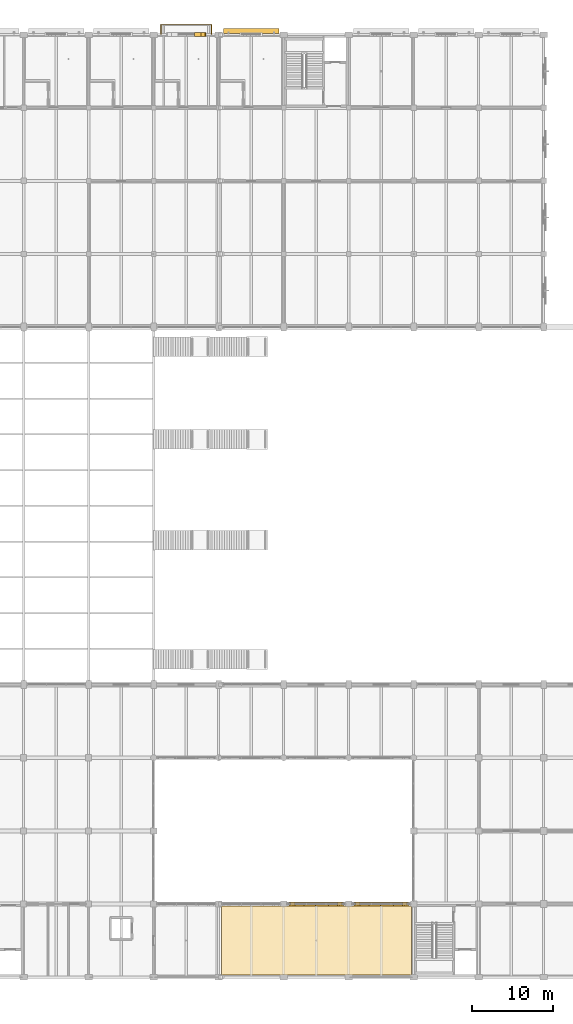
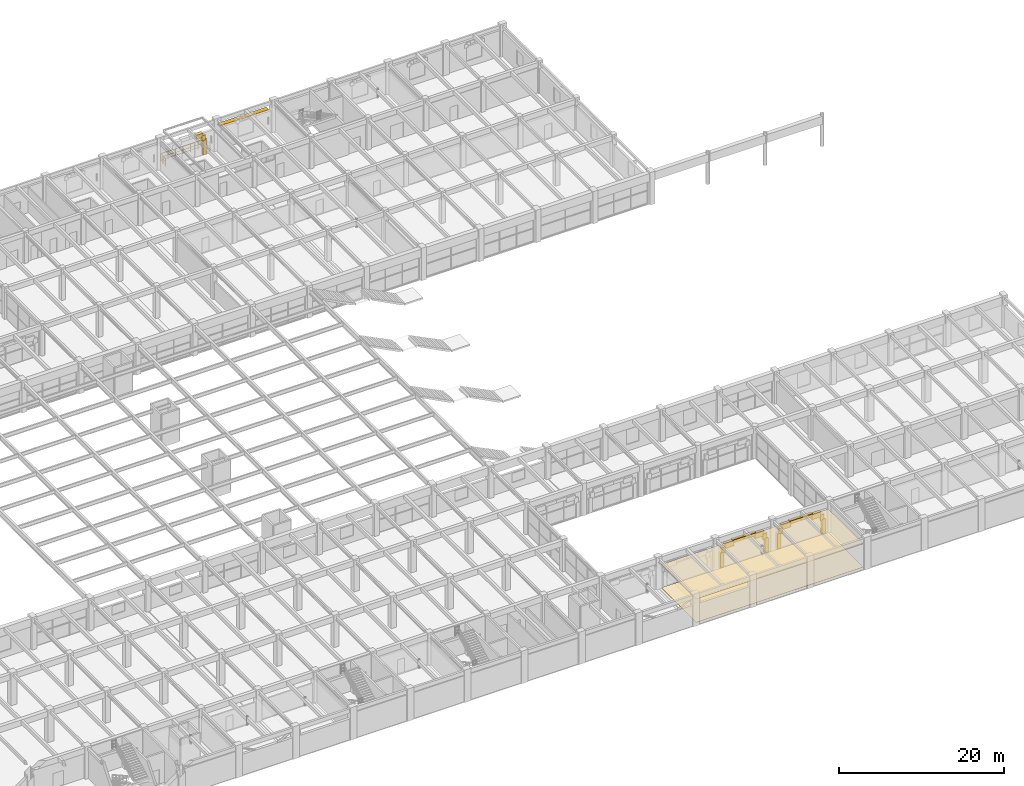
# One storey, part 141 of 144: 21 coverings, 1 railing, 1 shading device.
"""IFC4 building model written with IfcOpenShell, lengths in metres."""

from ifc_helpers import new_model, si_unit, direction, frame, origin, origin_2d, place, context, subcontext, project, spatial, polyline, rectangle, circle, outline, extrude, material, layer, layer_set, type_object, element, save


model = new_model("IFC4")

# Units and contexts
model_context = context("Model", 3, precision=1e-05, world=origin(), true_north=direction((0.0, 1.0)))
body_context = subcontext(model_context, "Body", "Model", "MODEL_VIEW")
ifc_project = project(units=[si_unit("LENGTHUNIT", "METRE"), si_unit("AREAUNIT", "SQUARE_METRE"), si_unit("VOLUMEUNIT", "CUBIC_METRE"), si_unit("PLANEANGLEUNIT", "RADIAN"), si_unit("MASSUNIT", "GRAM", prefix="KILO")], contexts=[model_context])

# Site, building, storey
site_placement = place(None, origin())
site = spatial("IfcSite", under=ifc_project, at=site_placement, CompositionType="ELEMENT")
building_placement = place(site_placement, origin())
building = spatial("IfcBuilding", under=site, at=building_placement, Name="Varnabhumi Central Station", CompositionType="ELEMENT")
storey_placement = place(building_placement, frame((0.0, 0.0, 4.800048828125)))
storey = spatial("IfcBuildingStorey", under=building, at=storey_placement, Name="L01", CompositionType="ELEMENT", Elevation=4.800048828125)

# Coverings
ifc_material_1 = material(Name="Mineral-fibre acoustic tile")
ifc_layer_1 = layer(ifc_material_1, 0.02490234375, Name="Mineral-fibre acoustic tile")
ifc_layer_set_1 = layer_set([ifc_layer_1], Name="Mineral-fibre acoustic tile")
covering_type_1 = type_object("IfcCoveringType", Name="COV-CEIL-ACOUSTIC", PredefinedType="CEILING", material=ifc_layer_set_1)
covering_1_placement = place(storey_placement, frame((0.0, 0.0, 3.469970703125)))
element("IfcCovering", 1, at=covering_1_placement, inside=storey, type_object=covering_type_1, Name="Lost Property and Station Archive Store Acoustic Ceiling", PredefinedType="CEILING", context=body_context, shape_type="SweptSolid", body=[
    extrude(outline(polyline([(120.35009765625, 0.25), (143.75, 0.25), (143.75, 8.75), (120.35009765625, 8.75), (120.35009765625, 0.25)])), origin(), (0.0, 0.0, 1.0), 0.02490234375),
])
ifc_material_2 = material(Name="Vitrified granite stone flooring", Category="masonry")
ifc_layer_2 = layer(ifc_material_2, 0.030029296875, Name="Vitrified granite stone flooring", Category="masonry")
ifc_layer_set_2 = layer_set([ifc_layer_2], Name="Vitrified granite stone flooring")
covering_type_2 = type_object("IfcCoveringType", Name="COV-FLOR-GRANITE", PredefinedType="FLOORING", material=ifc_layer_set_2)
covering_2_placement = place(storey_placement, origin())
element("IfcCovering", 2, at=covering_2_placement, inside=storey, type_object=covering_type_2, Name="Lost Property and Station Archive Store Granite Flooring", PredefinedType="FLOORING", context=body_context, shape_type="SweptSolid", body=[
    extrude(outline(polyline([(120.35009765625, 0.25), (143.75, 0.25), (143.75, 8.75), (120.35009765625, 8.75), (120.35009765625, 0.25)])), origin(), (0.0, 0.0, 1.0), 0.030029296875),
])
ifc_material_3 = material(Name="Terracotta clay Mission barrel tile", Category="masonry")
ifc_layer_3 = layer(ifc_material_3, 0.02001953125, Name="Terracotta clay Mission barrel tile", Category="masonry")
ifc_layer_set_3 = layer_set([ifc_layer_3], Name="Terracotta clay Mission barrel tile")
covering_type_3 = type_object("IfcCoveringType", Name="COV-WALL-FAIENCE", PredefinedType="CLADDING", material=ifc_layer_set_3)
covering_3_placement = place(storey_placement, frame((117.50244140625, 116.0, 2.635009765625), z_axis=(0.0, 0.0, 1.0), x_axis=(1.0, 0.0, 0.0)))
element("IfcCovering", 3, at=covering_3_placement, inside=storey, type_object=covering_type_3, Name="Balcony Arch Portal L01-15 Stone Voussoir 5", PredefinedType="CLADDING", context=body_context, shape_type="SweptSolid", body=[
    extrude(rectangle(XDim=0.925048828125, YDim=0.47998046875, at=origin_2d()), origin(), (0.0, 0.0, 1.0), 0.6279296875),
])
covering_4_placement = place(storey_placement, frame((118.052490234375, 116.0, 2.159912109375), z_axis=(0.0, 0.0, 1.0), x_axis=(1.0, 0.0, 0.0)))
element("IfcCovering", 4, at=covering_4_placement, inside=storey, type_object=covering_type_3, Name="Balcony Arch Portal L01-15 Stone Voussoir 6", PredefinedType="CLADDING", context=body_context, shape_type="SweptSolid", body=[
    extrude(rectangle(XDim=0.469970703125, YDim=0.47998046875, at=origin_2d()), origin(), (0.0, 0.0, 1.0), 0.7548828125),
])
covering_5_placement = place(storey_placement, frame((118.199951171875, 116.0, -0.02001953125), z_axis=(0.0, 0.0, 1.0), x_axis=(1.0, 0.0, 0.0)))
element("IfcCovering", 5, at=covering_5_placement, inside=storey, type_object=covering_type_3, Name="Balcony Arch Portal L01-15 Classical Pilaster 2", PredefinedType="CLADDING", context=body_context, shape_type="SweptSolid", body=[
    extrude(rectangle(XDim=0.47998046875, YDim=0.47998046875, at=origin_2d()), origin(), (0.0, 0.0, 1.0), 2.340087890625),
])
covering_6_placement = place(storey_placement, frame((129.107421875, 9.0, 2.06005859375), z_axis=(0.0, 0.0, 1.0), x_axis=(1.0, 0.0, 0.0)))
element("IfcCovering", 6, at=covering_6_placement, inside=storey, type_object=covering_type_3, Name="South Patio Cloister Arch L01-S3 Stone Voussoir 1", PredefinedType="CLADDING", context=body_context, shape_type="SweptSolid", body=[
    extrude(rectangle(XDim=0.534912109375, YDim=0.47998046875, at=origin_2d()), origin(), (0.0, 0.0, 1.0), 0.8798828125),
])
covering_7_placement = place(storey_placement, frame((129.882568359375, 9.0, 2.66015625), z_axis=(0.0, 0.0, 1.0), x_axis=(1.0, 0.0, 0.0)))
element("IfcCovering", 7, at=covering_7_placement, inside=storey, type_object=covering_type_3, Name="South Patio Cloister Arch L01-S3 Stone Voussoir 2", PredefinedType="CLADDING", context=body_context, shape_type="SweptSolid", body=[
    extrude(rectangle(XDim=1.2548828125, YDim=0.47998046875, at=origin_2d()), origin(), (0.0, 0.0, 1.0), 0.718994140625),
])
for number, where, z_axis, x_axis, name in (
    (8, (131.22509765625, 9.0, 3.098876953125), (0.0, 0.0, 1.0), (1.0, 0.0, 0.0), "South Patio Cloister Arch L01-S3 Stone Voussoir 3"),
    (9, (132.77490234375, 9.0, 3.098876953125), (0.0, 0.0, 1.0), (1.0, 0.0, 0.0), "South Patio Cloister Arch L01-S3 Stone Voussoir 4"),
):
    element("IfcCovering", number, at=place(storey_placement, frame(where, z_axis=z_axis, x_axis=x_axis)), inside=storey, type_object=covering_type_3, Name=name, PredefinedType="CLADDING", context=body_context, shape_type="SweptSolid", body=[
        extrude(rectangle(XDim=1.669921875, YDim=0.47998046875, at=origin_2d()), origin(), (0.0, 0.0, 1.0), 0.44091796875),
    ])
covering_8_placement = place(storey_placement, frame((134.117431640625, 9.0, 2.66015625), z_axis=(0.0, 0.0, 1.0), x_axis=(1.0, 0.0, 0.0)))
element("IfcCovering", 10, at=covering_8_placement, inside=storey, type_object=covering_type_3, Name="South Patio Cloister Arch L01-S3 Stone Voussoir 5", PredefinedType="CLADDING", context=body_context, shape_type="SweptSolid", body=[
    extrude(rectangle(XDim=1.2548828125, YDim=0.47998046875, at=origin_2d()), origin(), (0.0, 0.0, 1.0), 0.718994140625),
])
covering_9_placement = place(storey_placement, frame((134.892578125, 9.0, 2.06005859375), z_axis=(0.0, 0.0, 1.0), x_axis=(1.0, 0.0, 0.0)))
element("IfcCovering", 11, at=covering_9_placement, inside=storey, type_object=covering_type_3, Name="South Patio Cloister Arch L01-S3 Stone Voussoir 6", PredefinedType="CLADDING", context=body_context, shape_type="SweptSolid", body=[
    extrude(rectangle(XDim=0.534912109375, YDim=0.47998046875, at=origin_2d()), origin(), (0.0, 0.0, 1.0), 0.8798828125),
])
for number, where, z_axis, x_axis, name in (
    (12, (128.89990234375, 9.0, -0.02001953125), (0.0, 0.0, 1.0), (1.0, 0.0, 0.0), "South Patio Cloister Arch L01-S3 Classical Pilaster 1"),
    (13, (135.10009765625, 9.0, -0.02001953125), (0.0, 0.0, 1.0), (1.0, 0.0, 0.0), "South Patio Cloister Arch L01-S3 Classical Pilaster 2"),
):
    element("IfcCovering", number, at=place(storey_placement, frame(where, z_axis=z_axis, x_axis=x_axis)), inside=storey, type_object=covering_type_3, Name=name, PredefinedType="CLADDING", context=body_context, shape_type="SweptSolid", body=[
        extrude(rectangle(XDim=0.47998046875, YDim=0.47998046875, at=origin_2d()), origin(), (0.0, 0.0, 1.0), 2.239990234375),
    ])
covering_10_placement = place(storey_placement, frame((137.107421875, 9.0, 2.06005859375), z_axis=(0.0, 0.0, 1.0), x_axis=(1.0, 0.0, 0.0)))
element("IfcCovering", 14, at=covering_10_placement, inside=storey, type_object=covering_type_3, Name="South Patio Cloister Arch L01-S4 Stone Voussoir 1", PredefinedType="CLADDING", context=body_context, shape_type="SweptSolid", body=[
    extrude(rectangle(XDim=0.534912109375, YDim=0.47998046875, at=origin_2d()), origin(), (0.0, 0.0, 1.0), 0.8798828125),
])
covering_11_placement = place(storey_placement, frame((137.882568359375, 9.0, 2.66015625), z_axis=(0.0, 0.0, 1.0), x_axis=(1.0, 0.0, 0.0)))
element("IfcCovering", 15, at=covering_11_placement, inside=storey, type_object=covering_type_3, Name="South Patio Cloister Arch L01-S4 Stone Voussoir 2", PredefinedType="CLADDING", context=body_context, shape_type="SweptSolid", body=[
    extrude(rectangle(XDim=1.2548828125, YDim=0.47998046875, at=origin_2d()), origin(), (0.0, 0.0, 1.0), 0.718994140625),
])
for number, where, z_axis, x_axis, name in (
    (16, (139.22509765625, 9.0, 3.098876953125), (0.0, 0.0, 1.0), (1.0, 0.0, 0.0), "South Patio Cloister Arch L01-S4 Stone Voussoir 3"),
    (17, (140.77490234375, 9.0, 3.098876953125), (0.0, 0.0, 1.0), (1.0, 0.0, 0.0), "South Patio Cloister Arch L01-S4 Stone Voussoir 4"),
):
    element("IfcCovering", number, at=place(storey_placement, frame(where, z_axis=z_axis, x_axis=x_axis)), inside=storey, type_object=covering_type_3, Name=name, PredefinedType="CLADDING", context=body_context, shape_type="SweptSolid", body=[
        extrude(rectangle(XDim=1.669921875, YDim=0.47998046875, at=origin_2d()), origin(), (0.0, 0.0, 1.0), 0.44091796875),
    ])
covering_12_placement = place(storey_placement, frame((142.117431640625, 9.0, 2.66015625), z_axis=(0.0, 0.0, 1.0), x_axis=(1.0, 0.0, 0.0)))
element("IfcCovering", 18, at=covering_12_placement, inside=storey, type_object=covering_type_3, Name="South Patio Cloister Arch L01-S4 Stone Voussoir 5", PredefinedType="CLADDING", context=body_context, shape_type="SweptSolid", body=[
    extrude(rectangle(XDim=1.2548828125, YDim=0.47998046875, at=origin_2d()), origin(), (0.0, 0.0, 1.0), 0.718994140625),
])
covering_13_placement = place(storey_placement, frame((142.892578125, 9.0, 2.06005859375), z_axis=(0.0, 0.0, 1.0), x_axis=(1.0, 0.0, 0.0)))
element("IfcCovering", 19, at=covering_13_placement, inside=storey, type_object=covering_type_3, Name="South Patio Cloister Arch L01-S4 Stone Voussoir 6", PredefinedType="CLADDING", context=body_context, shape_type="SweptSolid", body=[
    extrude(rectangle(XDim=0.534912109375, YDim=0.47998046875, at=origin_2d()), origin(), (0.0, 0.0, 1.0), 0.8798828125),
])
for number, where, z_axis, x_axis, name in (
    (20, (136.89990234375, 9.0, -0.02001953125), (0.0, 0.0, 1.0), (1.0, 0.0, 0.0), "South Patio Cloister Arch L01-S4 Classical Pilaster 1"),
    (21, (143.10009765625, 9.0, -0.02001953125), (0.0, 0.0, 1.0), (1.0, 0.0, 0.0), "South Patio Cloister Arch L01-S4 Classical Pilaster 2"),
):
    element("IfcCovering", number, at=place(storey_placement, frame(where, z_axis=z_axis, x_axis=x_axis)), inside=storey, type_object=covering_type_3, Name=name, PredefinedType="CLADDING", context=body_context, shape_type="SweptSolid", body=[
        extrude(rectangle(XDim=0.47998046875, YDim=0.47998046875, at=origin_2d()), origin(), (0.0, 0.0, 1.0), 2.239990234375),
    ])

# Railing
ifc_material_4 = material(Name="Stainless steel Grade 316", Category="steel")
railing_type = type_object("IfcRailingType", Name="RAIL-BALUST-1150", PredefinedType="BALUSTRADE", material=ifc_material_4)
railing_placement = place(storey_placement, frame((112.8798828125, 116.050048828125, 0.0)))
element("IfcRailing", 22, at=railing_placement, inside=storey, type_object=railing_type, Name="Azotea Perimeter Balustrade L01-8", PredefinedType="BALUSTRADE", context=body_context, shape_type="SweptSolid", body=[
    extrude(circle(Radius=0.02392578125, at=origin_2d()), frame((0.0, 0.0, 1.1259765625), z_axis=(0.0, 1.0, 0.0), x_axis=(-1.0, 0.0, 0.0)), (0.0, 0.0, 1.0), 1.169921875),
    extrude(circle(Radius=0.01416015625, at=origin_2d()), frame((0.0, 0.0, 0.597900390625), z_axis=(0.0, 1.0, 0.0), x_axis=(-1.0, 0.0, 0.0)), (0.0, 0.0, 1.0), 1.169921875),
    extrude(circle(Radius=0.01416015625, at=origin_2d()), frame((0.0, 0.0, 0.18408203125), z_axis=(0.0, 1.0, 0.0), x_axis=(-1.0, 0.0, 0.0)), (0.0, 0.0, 1.0), 1.169921875),
    extrude(circle(Radius=0.02392578125, at=origin_2d()), frame((0.0, 1.169921875, 1.1259765625), z_axis=(1.0, 0.0, 0.0), x_axis=(0.0, 1.0, 0.0)), (0.0, 0.0, 1.0), 6.240234375),
    extrude(circle(Radius=0.01416015625, at=origin_2d()), frame((0.0, 1.169921875, 0.597900390625), z_axis=(1.0, 0.0, 0.0), x_axis=(0.0, 1.0, 0.0)), (0.0, 0.0, 1.0), 6.240234375),
    extrude(circle(Radius=0.01416015625, at=origin_2d()), frame((0.0, 1.169921875, 0.18408203125), z_axis=(1.0, 0.0, 0.0), x_axis=(0.0, 1.0, 0.0)), (0.0, 0.0, 1.0), 6.240234375),
    extrude(circle(Radius=0.02392578125, at=origin_2d()), frame((6.240234375, 1.169921875, 1.1259765625), z_axis=(0.0, -1.0, 0.0), x_axis=(1.0, 0.0, 0.0)), (0.0, 0.0, 1.0), 1.169921875),
    extrude(circle(Radius=0.01416015625, at=origin_2d()), frame((6.240234375, 1.169921875, 0.597900390625), z_axis=(0.0, -1.0, 0.0), x_axis=(1.0, 0.0, 0.0)), (0.0, 0.0, 1.0), 1.169921875),
    extrude(circle(Radius=0.01416015625, at=origin_2d()), frame((6.240234375, 1.169921875, 0.18408203125), z_axis=(0.0, -1.0, 0.0), x_axis=(1.0, 0.0, 0.0)), (0.0, 0.0, 1.0), 1.169921875),
    extrude(circle(Radius=0.02099609375, at=origin_2d()), origin(), (0.0, 0.0, 1.0), 1.101806640625),
    extrude(circle(Radius=0.02099609375, at=origin_2d()), frame((0.0, 0.5849609375, 0.0)), (0.0, 0.0, 1.0), 1.101806640625),
    extrude(circle(Radius=0.02099609375, at=origin_2d()), frame((0.0, 1.169921875, 0.0)), (0.0, 0.0, 1.0), 1.101806640625),
    extrude(circle(Radius=0.02099609375, at=origin_2d()), frame((1.0400390625, 1.169921875, 0.0)), (0.0, 0.0, 1.0), 1.101806640625),
    extrude(circle(Radius=0.02099609375, at=origin_2d()), frame((2.080078125, 1.169921875, 0.0)), (0.0, 0.0, 1.0), 1.101806640625),
    extrude(circle(Radius=0.02099609375, at=origin_2d()), frame((3.1201171875, 1.169921875, 0.0)), (0.0, 0.0, 1.0), 1.101806640625),
    extrude(circle(Radius=0.02099609375, at=origin_2d()), frame((4.16015625, 1.169921875, 0.0)), (0.0, 0.0, 1.0), 1.101806640625),
    extrude(circle(Radius=0.02099609375, at=origin_2d()), frame((5.2001953125, 1.169921875, 0.0)), (0.0, 0.0, 1.0), 1.101806640625),
    extrude(circle(Radius=0.02099609375, at=origin_2d()), frame((6.240234375, 1.169921875, 0.0)), (0.0, 0.0, 1.0), 1.101806640625),
    extrude(circle(Radius=0.02099609375, at=origin_2d()), frame((6.240234375, 0.5849609375, 0.0)), (0.0, 0.0, 1.0), 1.101806640625),
    extrude(circle(Radius=0.02099609375, at=origin_2d()), frame((6.240234375, 0.0, 0.0)), (0.0, 0.0, 1.0), 1.101806640625),
])

# Shading device
ifc_material_5 = material(Name="Precast concrete M45", Category="concrete")
ifc_layer_4 = layer(ifc_material_5, 0.10009765625, Name="Precast concrete M45", Category="concrete")
ifc_layer_set_4 = layer_set([ifc_layer_4], Name="Precast concrete M45")
shading_device_type = type_object("IfcShadingDeviceType", Name="SHD-CHAJJA-600", PredefinedType="AWNING", material=ifc_layer_set_4)
shading_device_placement = place(storey_placement, frame((124.0, 116.449951171875, 3.1298828125), z_axis=(0.0, 0.0, 1.0), x_axis=(1.0, 0.0, 0.0)))
element("IfcShadingDevice", 23, at=shading_device_placement, inside=storey, type_object=shading_device_type, Name="Chajja Overhang N-L01-16", PredefinedType="AWNING", context=body_context, shape_type="SweptSolid", body=[
    extrude(rectangle(XDim=6.800048828125, YDim=0.60009765625, at=origin_2d()), origin(), (0.0, 0.0, 1.0), 0.10009765625),
])

save(model, "model.ifc")
